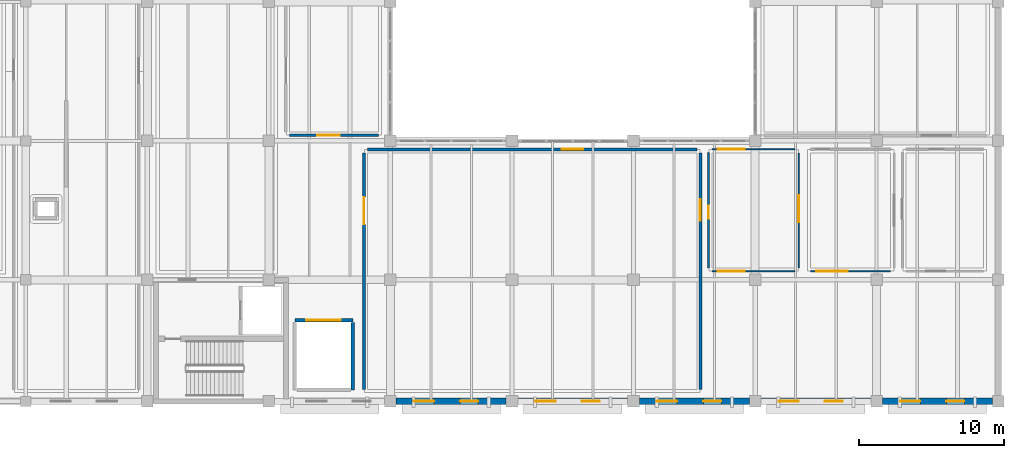
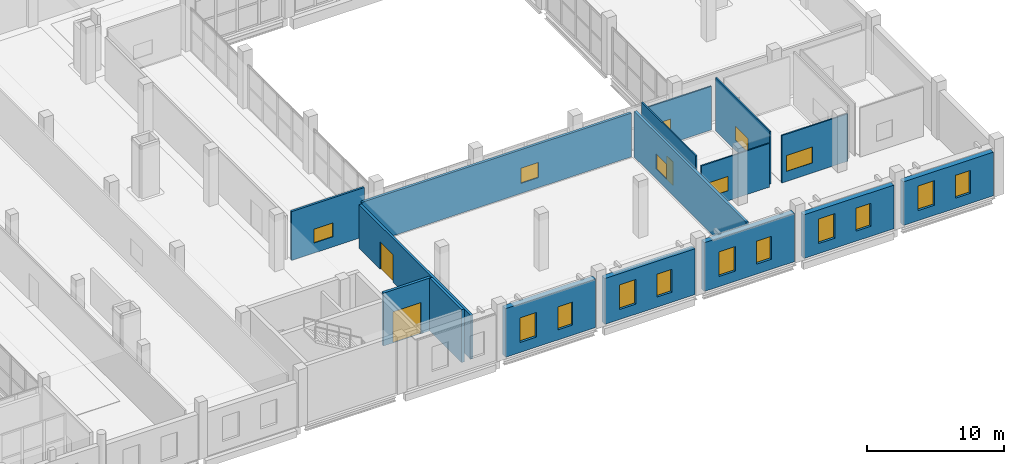
# One storey, part 60 of 73: 17 windows, 16 walls, 3 doors, 20 openings.
"""IFC4 building model written with IfcOpenShell, lengths in metres."""

from ifc_helpers import new_model, si_unit, direction, frame, frame_2d, origin, place, context, subcontext, project, spatial, rectangle, extrude, material, layer, layer_set, type_object, element, fill, save


model = new_model("IFC4")

# Units and contexts
model_context = context("Model", 3, precision=1e-05, world=origin(), true_north=direction((0.0, 1.0)))
body_context = subcontext(model_context, "Body", "Model", "MODEL_VIEW")
ifc_project = project(units=[si_unit("LENGTHUNIT", "METRE"), si_unit("AREAUNIT", "SQUARE_METRE"), si_unit("VOLUMEUNIT", "CUBIC_METRE"), si_unit("PLANEANGLEUNIT", "RADIAN"), si_unit("MASSUNIT", "GRAM", prefix="KILO")], contexts=[model_context])

# Site, building, storey
site_placement = place(None, origin())
site = spatial("IfcSite", under=ifc_project, at=site_placement, CompositionType="ELEMENT")
building_placement = place(site_placement, origin())
building = spatial("IfcBuilding", under=site, at=building_placement, Name="Zulmaris Art Gallery", CompositionType="ELEMENT")
storey_placement = place(building_placement, frame((0.0, 0.0, 10.5)))
storey = spatial("IfcBuildingStorey", under=building, at=storey_placement, Name="L02", CompositionType="ELEMENT", Elevation=10.5)

# Wall, openings, windows
ifc_material_1 = material(Name="Omani Cream Limestone Ashlar Masonry", Category="masonry")
ifc_layer_1 = layer(ifc_material_1, 0.43994140625)
ifc_layer_set_1 = layer_set([ifc_layer_1], Name="Omani Cream Limestone Ashlar Masonry")
wall_type_1 = type_object("IfcWallType", Name="ENV-WALL-EW01", PredefinedType="SOLIDWALL", material=ifc_layer_set_1)
wall_1_placement = place(storey_placement, frame((158.802001953125, 13.199951171875, 0.0), z_axis=(0.0, 0.0, 1.0), x_axis=(1.0, 0.0, 0.0)))
wall_1 = element("IfcWall", 1, at=wall_1_placement, inside=storey, type_object=wall_type_1, Name="L02 V5 South Facade Bay 2", PredefinedType="SOLIDWALL", context=body_context, shape_type="SweptSolid", body=[
    extrude(rectangle(XDim=7.595947265625, YDim=0.43994140625, at=frame_2d((3.7978515625, 0.0))), origin(), (0.0, 0.0, 1.0), 4.35009765625),
])
opening_1_placement = place(wall_1_placement, frame((1.218017578125, 0.0, 0.89990234375)))
opening_1 = element("IfcOpeningElement", 2, at=opening_1_placement, cuts=wall_1, Name="Opening W04", PredefinedType="OPENING", context=body_context, shape_type="SweptSolid", body=[
    extrude(rectangle(XDim=1.39990234375, YDim=2.199951171875, at=frame_2d((0.699951171875, 1.10009765625))), frame((0.0, 0.22998046875, 0.0), z_axis=(0.0, -1.0, 0.0), x_axis=(1.0, 0.0, 0.0)), (0.0, 0.0, 1.0), 0.4599609375),
])
opening_2_placement = place(wall_1_placement, frame((4.41796875, 0.0, 0.89990234375)))
opening_2 = element("IfcOpeningElement", 3, at=opening_2_placement, cuts=wall_1, Name="Opening W10", PredefinedType="OPENING", context=body_context, shape_type="SweptSolid", body=[
    extrude(rectangle(XDim=1.25, YDim=2.050048828125, at=frame_2d((0.625, 1.02490234375))), frame((0.0, 0.22998046875, 0.0), z_axis=(0.0, -1.0, 0.0), x_axis=(1.0, 0.0, 0.0)), (0.0, 0.0, 1.0), 0.4599609375),
])
ifc_material_2 = material(Name="Deep-Reveal Limestone Slot Window", Category="masonry")
window_type_1 = type_object("IfcWindowType", Name="WIN-W04", PartitioningType="SINGLE_PANEL", PredefinedType="WINDOW", material=ifc_material_2)
window_1_placement = place(opening_1_placement, origin())
window_1 = element("IfcWindow", 4, at=window_1_placement, inside=storey, type_object=window_type_1, Name="L02 exterior window W04", OverallHeight=2.199951171875, OverallWidth=1.39990234375, PartitioningType="SINGLE_PANEL", PredefinedType="WINDOW", context=body_context, shape_type="SweptSolid", body=[
    extrude(rectangle(XDim=1.39990234375, YDim=2.199951171875, at=frame_2d((0.699951171875, 1.10009765625))), frame((0.0, 0.030029296875, 0.0), z_axis=(0.0, -1.0, 0.0), x_axis=(1.0, 0.0, 0.0)), (0.0, 0.0, 1.0), 0.06005859375),
])
fill(opening_1, window_1)
ifc_material_3 = material(Name="Limestone Deep-Set Lancet Window", Category="masonry")
window_type_2 = type_object("IfcWindowType", Name="WIN-W10", PartitioningType="SINGLE_PANEL", PredefinedType="WINDOW", material=ifc_material_3)
window_2_placement = place(opening_2_placement, origin())
window_2 = element("IfcWindow", 5, at=window_2_placement, inside=storey, type_object=window_type_2, Name="L02 exterior window W10", OverallHeight=2.050048828125, OverallWidth=1.25, PartitioningType="SINGLE_PANEL", PredefinedType="WINDOW", context=body_context, shape_type="SweptSolid", body=[
    extrude(rectangle(XDim=1.25, YDim=2.050048828125, at=frame_2d((0.625, 1.02490234375))), frame((0.0, 0.030029296875, 0.0), z_axis=(0.0, -1.0, 0.0), x_axis=(1.0, 0.0, 0.0)), (0.0, 0.0, 1.0), 0.06005859375),
])
fill(opening_2, window_2)

wall_2_placement = place(storey_placement, frame((167.201904296875, 13.199951171875, 0.0), z_axis=(0.0, 0.0, 1.0), x_axis=(1.0, 0.0, 0.0)))
wall_2 = element("IfcWall", 6, at=wall_2_placement, inside=storey, type_object=wall_type_1, Name="L02 V5 South Facade Bay 3", PredefinedType="SOLIDWALL", context=body_context, shape_type="SweptSolid", body=[
    extrude(rectangle(XDim=7.59619140625, YDim=0.43994140625, at=frame_2d((3.798095703125, 0.0))), origin(), (0.0, 0.0, 1.0), 4.10009765625),
])
opening_3_placement = place(wall_2_placement, frame((1.218017578125, 0.0, 0.89990234375)))
opening_3 = element("IfcOpeningElement", 7, at=opening_3_placement, cuts=wall_2, Name="Opening W04", PredefinedType="OPENING", context=body_context, shape_type="SweptSolid", body=[
    extrude(rectangle(XDim=1.39990234375, YDim=2.199951171875, at=frame_2d((0.699951171875, 1.10009765625))), frame((0.0, 0.22998046875, 0.0), z_axis=(0.0, -1.0, 0.0), x_axis=(1.0, 0.0, 0.0)), (0.0, 0.0, 1.0), 0.4599609375),
])
opening_4_placement = place(wall_2_placement, frame((4.41796875, 0.0, 0.89990234375)))
opening_4 = element("IfcOpeningElement", 8, at=opening_4_placement, cuts=wall_2, Name="Opening W10", PredefinedType="OPENING", context=body_context, shape_type="SweptSolid", body=[
    extrude(rectangle(XDim=1.25, YDim=2.050048828125, at=frame_2d((0.625, 1.02490234375))), frame((0.0, 0.22998046875, 0.0), z_axis=(0.0, -1.0, 0.0), x_axis=(1.0, 0.0, 0.0)), (0.0, 0.0, 1.0), 0.4599609375),
])
window_3_placement = place(opening_3_placement, origin())
window_3 = element("IfcWindow", 9, at=window_3_placement, inside=storey, type_object=window_type_1, Name="L02 exterior window W04", OverallHeight=2.199951171875, OverallWidth=1.39990234375, PartitioningType="SINGLE_PANEL", PredefinedType="WINDOW", context=body_context, shape_type="SweptSolid", body=[
    extrude(rectangle(XDim=1.39990234375, YDim=2.199951171875, at=frame_2d((0.699951171875, 1.10009765625))), frame((0.0, 0.030029296875, 0.0), z_axis=(0.0, -1.0, 0.0), x_axis=(1.0, 0.0, 0.0)), (0.0, 0.0, 1.0), 0.06005859375),
])
fill(opening_3, window_3)
window_4_placement = place(opening_4_placement, origin())
window_4 = element("IfcWindow", 10, at=window_4_placement, inside=storey, type_object=window_type_2, Name="L02 exterior window W10", OverallHeight=2.050048828125, OverallWidth=1.25, PartitioningType="SINGLE_PANEL", PredefinedType="WINDOW", context=body_context, shape_type="SweptSolid", body=[
    extrude(rectangle(XDim=1.25, YDim=2.050048828125, at=frame_2d((0.625, 1.02490234375))), frame((0.0, 0.030029296875, 0.0), z_axis=(0.0, -1.0, 0.0), x_axis=(1.0, 0.0, 0.0)), (0.0, 0.0, 1.0), 0.06005859375),
])
fill(opening_4, window_4)

wall_3_placement = place(storey_placement, frame((175.60205078125, 13.199951171875, 0.0), z_axis=(0.0, 0.0, 1.0), x_axis=(1.0, 0.0, 0.0)))
wall_3 = element("IfcWall", 11, at=wall_3_placement, inside=storey, type_object=wall_type_1, Name="L02 V5 South Facade Bay 4", PredefinedType="SOLIDWALL", context=body_context, shape_type="SweptSolid", body=[
    extrude(rectangle(XDim=7.595947265625, YDim=0.43994140625, at=frame_2d((3.7978515625, 0.0))), origin(), (0.0, 0.0, 1.0), 4.35009765625),
])
opening_5_placement = place(wall_3_placement, frame((1.218017578125, 0.0, 0.89990234375)))
opening_5 = element("IfcOpeningElement", 12, at=opening_5_placement, cuts=wall_3, Name="Opening W04", PredefinedType="OPENING", context=body_context, shape_type="SweptSolid", body=[
    extrude(rectangle(XDim=1.39990234375, YDim=2.199951171875, at=frame_2d((0.699951171875, 1.10009765625))), frame((0.0, 0.22998046875, 0.0), z_axis=(0.0, -1.0, 0.0), x_axis=(1.0, 0.0, 0.0)), (0.0, 0.0, 1.0), 0.4599609375),
])
opening_6_placement = place(wall_3_placement, frame((4.41796875, 0.0, 0.89990234375)))
opening_6 = element("IfcOpeningElement", 13, at=opening_6_placement, cuts=wall_3, Name="Opening W10", PredefinedType="OPENING", context=body_context, shape_type="SweptSolid", body=[
    extrude(rectangle(XDim=1.25, YDim=2.050048828125, at=frame_2d((0.625, 1.02490234375))), frame((0.0, 0.22998046875, 0.0), z_axis=(0.0, -1.0, 0.0), x_axis=(1.0, 0.0, 0.0)), (0.0, 0.0, 1.0), 0.4599609375),
])
window_5_placement = place(opening_5_placement, origin())
window_5 = element("IfcWindow", 14, at=window_5_placement, inside=storey, type_object=window_type_1, Name="L02 exterior window W04", OverallHeight=2.199951171875, OverallWidth=1.39990234375, PartitioningType="SINGLE_PANEL", PredefinedType="WINDOW", context=body_context, shape_type="SweptSolid", body=[
    extrude(rectangle(XDim=1.39990234375, YDim=2.199951171875, at=frame_2d((0.699951171875, 1.10009765625))), frame((0.0, 0.030029296875, 0.0), z_axis=(0.0, -1.0, 0.0), x_axis=(1.0, 0.0, 0.0)), (0.0, 0.0, 1.0), 0.06005859375),
])
fill(opening_5, window_5)
window_6_placement = place(opening_6_placement, origin())
window_6 = element("IfcWindow", 15, at=window_6_placement, inside=storey, type_object=window_type_2, Name="L02 exterior window W10", OverallHeight=2.050048828125, OverallWidth=1.25, PartitioningType="SINGLE_PANEL", PredefinedType="WINDOW", context=body_context, shape_type="SweptSolid", body=[
    extrude(rectangle(XDim=1.25, YDim=2.050048828125, at=frame_2d((0.625, 1.02490234375))), frame((0.0, 0.030029296875, 0.0), z_axis=(0.0, -1.0, 0.0), x_axis=(1.0, 0.0, 0.0)), (0.0, 0.0, 1.0), 0.06005859375),
])
fill(opening_6, window_6)

wall_4_placement = place(storey_placement, frame((184.001953125, 13.199951171875, 0.0), z_axis=(0.0, 0.0, 1.0), x_axis=(1.0, 0.0, 0.0)))
wall_4 = element("IfcWall", 16, at=wall_4_placement, inside=storey, type_object=wall_type_1, Name="L02 V5 South Facade Bay 5", PredefinedType="SOLIDWALL", context=body_context, shape_type="SweptSolid", body=[
    extrude(rectangle(XDim=7.595947265625, YDim=0.43994140625, at=frame_2d((3.7978515625, 0.0))), origin(), (0.0, 0.0, 1.0), 3.89990234375),
])
opening_7_placement = place(wall_4_placement, frame((1.218017578125, 0.0, 0.89990234375)))
opening_7 = element("IfcOpeningElement", 17, at=opening_7_placement, cuts=wall_4, Name="Opening W04", PredefinedType="OPENING", context=body_context, shape_type="SweptSolid", body=[
    extrude(rectangle(XDim=1.39990234375, YDim=2.199951171875, at=frame_2d((0.699951171875, 1.10009765625))), frame((0.0, 0.22998046875, 0.0), z_axis=(0.0, -1.0, 0.0), x_axis=(1.0, 0.0, 0.0)), (0.0, 0.0, 1.0), 0.4599609375),
])
opening_8_placement = place(wall_4_placement, frame((4.41796875, 0.0, 0.89990234375)))
opening_8 = element("IfcOpeningElement", 18, at=opening_8_placement, cuts=wall_4, Name="Opening W10", PredefinedType="OPENING", context=body_context, shape_type="SweptSolid", body=[
    extrude(rectangle(XDim=1.25, YDim=2.050048828125, at=frame_2d((0.625, 1.02490234375))), frame((0.0, 0.22998046875, 0.0), z_axis=(0.0, -1.0, 0.0), x_axis=(1.0, 0.0, 0.0)), (0.0, 0.0, 1.0), 0.4599609375),
])
window_7_placement = place(opening_7_placement, origin())
window_7 = element("IfcWindow", 19, at=window_7_placement, inside=storey, type_object=window_type_1, Name="L02 exterior window W04", OverallHeight=2.199951171875, OverallWidth=1.39990234375, PartitioningType="SINGLE_PANEL", PredefinedType="WINDOW", context=body_context, shape_type="SweptSolid", body=[
    extrude(rectangle(XDim=1.39990234375, YDim=2.199951171875, at=frame_2d((0.699951171875, 1.10009765625))), frame((0.0, 0.030029296875, 0.0), z_axis=(0.0, -1.0, 0.0), x_axis=(1.0, 0.0, 0.0)), (0.0, 0.0, 1.0), 0.06005859375),
])
fill(opening_7, window_7)
window_8_placement = place(opening_8_placement, origin())
window_8 = element("IfcWindow", 20, at=window_8_placement, inside=storey, type_object=window_type_2, Name="L02 exterior window W10", OverallHeight=2.050048828125, OverallWidth=1.25, PartitioningType="SINGLE_PANEL", PredefinedType="WINDOW", context=body_context, shape_type="SweptSolid", body=[
    extrude(rectangle(XDim=1.25, YDim=2.050048828125, at=frame_2d((0.625, 1.02490234375))), frame((0.0, 0.030029296875, 0.0), z_axis=(0.0, -1.0, 0.0), x_axis=(1.0, 0.0, 0.0)), (0.0, 0.0, 1.0), 0.06005859375),
])
fill(opening_8, window_8)

wall_5_placement = place(storey_placement, frame((192.402099609375, 13.199951171875, 0.0), z_axis=(0.0, 0.0, 1.0), x_axis=(1.0, 0.0, 0.0)))
wall_5 = element("IfcWall", 21, at=wall_5_placement, inside=storey, type_object=wall_type_1, Name="L02 V5 South Facade Bay 6", PredefinedType="SOLIDWALL", context=body_context, shape_type="SweptSolid", body=[
    extrude(rectangle(XDim=7.595947265625, YDim=0.43994140625, at=frame_2d((3.7978515625, 0.0))), origin(), (0.0, 0.0, 1.0), 3.89990234375),
])
opening_9_placement = place(wall_5_placement, frame((1.218017578125, 0.0, 0.89990234375)))
opening_9 = element("IfcOpeningElement", 22, at=opening_9_placement, cuts=wall_5, Name="Opening W04", PredefinedType="OPENING", context=body_context, shape_type="SweptSolid", body=[
    extrude(rectangle(XDim=1.39990234375, YDim=2.199951171875, at=frame_2d((0.699951171875, 1.10009765625))), frame((0.0, 0.22998046875, 0.0), z_axis=(0.0, -1.0, 0.0), x_axis=(1.0, 0.0, 0.0)), (0.0, 0.0, 1.0), 0.4599609375),
])
opening_10_placement = place(wall_5_placement, frame((4.41796875, 0.0, 0.89990234375)))
opening_10 = element("IfcOpeningElement", 23, at=opening_10_placement, cuts=wall_5, Name="Opening W10", PredefinedType="OPENING", context=body_context, shape_type="SweptSolid", body=[
    extrude(rectangle(XDim=1.25, YDim=2.050048828125, at=frame_2d((0.625, 1.02490234375))), frame((0.0, 0.22998046875, 0.0), z_axis=(0.0, -1.0, 0.0), x_axis=(1.0, 0.0, 0.0)), (0.0, 0.0, 1.0), 0.4599609375),
])
window_9_placement = place(opening_9_placement, origin())
window_9 = element("IfcWindow", 24, at=window_9_placement, inside=storey, type_object=window_type_1, Name="L02 exterior window W04", OverallHeight=2.199951171875, OverallWidth=1.39990234375, PartitioningType="SINGLE_PANEL", PredefinedType="WINDOW", context=body_context, shape_type="SweptSolid", body=[
    extrude(rectangle(XDim=1.39990234375, YDim=2.199951171875, at=frame_2d((0.699951171875, 1.10009765625))), frame((0.0, 0.030029296875, 0.0), z_axis=(0.0, -1.0, 0.0), x_axis=(1.0, 0.0, 0.0)), (0.0, 0.0, 1.0), 0.06005859375),
])
fill(opening_9, window_9)
window_10_placement = place(opening_10_placement, origin())
window_10 = element("IfcWindow", 25, at=window_10_placement, inside=storey, type_object=window_type_2, Name="L02 exterior window W10", OverallHeight=2.050048828125, OverallWidth=1.25, PartitioningType="SINGLE_PANEL", PredefinedType="WINDOW", context=body_context, shape_type="SweptSolid", body=[
    extrude(rectangle(XDim=1.25, YDim=2.050048828125, at=frame_2d((0.625, 1.02490234375))), frame((0.0, 0.030029296875, 0.0), z_axis=(0.0, -1.0, 0.0), x_axis=(1.0, 0.0, 0.0)), (0.0, 0.0, 1.0), 0.06005859375),
])
fill(opening_10, window_10)

# Wall, opening, door
ifc_material_4 = material(Name="Moisture-Resistant Tile-Backer Wet Wall", Category="gypsum")
ifc_layer_2 = layer(ifc_material_4, 0.114990234375)
ifc_layer_set_2 = layer_set([ifc_layer_2], Name="Moisture-Resistant Tile-Backer Wet Wall")
wall_type_2 = type_object("IfcWallType", Name="IWALL-PW02", PredefinedType="PARTITIONING", material=ifc_layer_set_2)
wall_6_placement = place(storey_placement, frame((180.3798828125, 22.429931640625, 0.0), z_axis=(0.0, 0.0, 1.0), x_axis=(0.0, 1.0, 0.0)))
wall_6 = element("IfcWall", 26, at=wall_6_placement, inside=storey, type_object=wall_type_2, Name="Level 02 Male WC W partition", PredefinedType="PARTITIONING", context=body_context, shape_type="SweptSolid", body=[
    extrude(rectangle(XDim=7.940185546875, YDim=0.114990234375, at=frame_2d((3.97021484375, 0.0))), origin(), (0.0, 0.0, 1.0), 4.719970703125),
])
opening_11_placement = place(wall_6_placement, frame((3.39990234375, 0.0, 0.0)))
opening_11 = element("IfcOpeningElement", 27, at=opening_11_placement, cuts=wall_6, Name="Opening D01", PredefinedType="OPENING", context=body_context, shape_type="SweptSolid", body=[
    extrude(rectangle(XDim=0.89990234375, YDim=2.10009765625, at=frame_2d((0.449951171875, 1.050048828125))), frame((0.0, 0.0673828125, 0.0), z_axis=(0.0, -1.0, 0.0), x_axis=(1.0, 0.0, 0.0)), (0.0, 0.0, 1.0), 0.135009765625),
])
ifc_material_5 = material(Name="Moisture-Resistant WC Door", Category="timber")
door_type_1 = type_object("IfcDoorType", Name="IDOOR-D01", OperationType="NOTDEFINED", PredefinedType="DOOR", material=ifc_material_5)
door_1_placement = place(opening_11_placement, origin())
door_1 = element("IfcDoor", 28, at=door_1_placement, inside=storey, type_object=door_type_1, Name="Level 02 Male WC Door", OperationType="SINGLE_SWING_RIGHT", OverallHeight=2.10009765625, OverallWidth=0.89990234375, PredefinedType="DOOR", context=body_context, shape_type="SweptSolid", body=[
    extrude(rectangle(XDim=0.89990234375, YDim=2.10009765625, at=frame_2d((0.449951171875, 1.050048828125))), frame((0.0, 0.02490234375, 0.0), z_axis=(0.0, -1.0, 0.0), x_axis=(1.0, 0.0, 0.0)), (0.0, 0.0, 1.0), 0.050048828125),
])
fill(opening_11, door_1)

# Wall, opening, window
wall_7_placement = place(storey_placement, frame((180.6298828125, 22.179931640625, 0.0), z_axis=(0.0, 0.0, 1.0), x_axis=(1.0, 0.0, 0.0)))
wall_7 = element("IfcWall", 29, at=wall_7_placement, inside=storey, type_object=wall_type_2, Name="Level 02 Male WC S partition", PredefinedType="PARTITIONING", context=body_context, shape_type="SweptSolid", body=[
    extrude(rectangle(XDim=5.740234375, YDim=0.114990234375, at=frame_2d((2.8701171875, 0.0))), origin(), (0.0, 0.0, 1.0), 3.89990234375),
])
opening_12_placement = place(wall_7_placement, frame((0.39990234375, 0.0, 0.89990234375)))
opening_12 = element("IfcOpeningElement", 30, at=opening_12_placement, cuts=wall_7, Name="Opening IW02", PredefinedType="OPENING", context=body_context, shape_type="SweptSolid", body=[
    extrude(rectangle(XDim=1.860107421875, YDim=1.280029296875, at=frame_2d((0.93017578125, 0.64013671875))), frame((0.0, 0.0673828125, 0.0), z_axis=(0.0, -1.0, 0.0), x_axis=(1.0, 0.0, 0.0)), (0.0, 0.0, 1.0), 0.135009765625),
])
ifc_material_6 = material(Name="Auditorium Booth Acoustic Window", Category="glass")
window_type_3 = type_object("IfcWindowType", Name="IWIN-IW02", PartitioningType="SINGLE_PANEL", PredefinedType="WINDOW", material=ifc_material_6)
window_11_placement = place(opening_12_placement, origin())
window_11 = element("IfcWindow", 31, at=window_11_placement, inside=storey, type_object=window_type_3, Name="L02 interior observation window IW02", OverallHeight=1.280029296875, OverallWidth=1.860107421875, PartitioningType="SINGLE_PANEL", PredefinedType="WINDOW", context=body_context, shape_type="SweptSolid", body=[
    extrude(rectangle(XDim=1.860107421875, YDim=1.280029296875, at=frame_2d((0.93017578125, 0.64013671875))), frame((0.0, 0.030029296875, 0.0), z_axis=(0.0, -1.0, 0.0), x_axis=(1.0, 0.0, 0.0)), (0.0, 0.0, 1.0), 0.06005859375),
])
fill(opening_12, window_11)

wall_8_placement = place(storey_placement, frame((180.6298828125, 30.6201171875, 0.0), z_axis=(0.0, 0.0, 1.0), x_axis=(1.0, 0.0, 0.0)))
wall_8 = element("IfcWall", 32, at=wall_8_placement, inside=storey, type_object=wall_type_2, Name="Level 02 Male WC N partition", PredefinedType="PARTITIONING", context=body_context, shape_type="SweptSolid", body=[
    extrude(rectangle(XDim=5.740234375, YDim=0.114990234375, at=frame_2d((2.8701171875, 0.0))), origin(), (0.0, 0.0, 1.0), 3.89990234375),
])
opening_13_placement = place(wall_8_placement, frame((0.39990234375, 0.0, 0.89990234375)))
opening_13 = element("IfcOpeningElement", 33, at=opening_13_placement, cuts=wall_8, Name="Opening IW02", PredefinedType="OPENING", context=body_context, shape_type="SweptSolid", body=[
    extrude(rectangle(XDim=1.860107421875, YDim=1.280029296875, at=frame_2d((0.93017578125, 0.64013671875))), frame((0.0, 0.0673828125, 0.0), z_axis=(0.0, -1.0, 0.0), x_axis=(1.0, 0.0, 0.0)), (0.0, 0.0, 1.0), 0.135009765625),
])
window_12_placement = place(opening_13_placement, origin())
window_12 = element("IfcWindow", 34, at=window_12_placement, inside=storey, type_object=window_type_3, Name="L02 interior observation window IW02", OverallHeight=1.280029296875, OverallWidth=1.860107421875, PartitioningType="SINGLE_PANEL", PredefinedType="WINDOW", context=body_context, shape_type="SweptSolid", body=[
    extrude(rectangle(XDim=1.860107421875, YDim=1.280029296875, at=frame_2d((0.93017578125, 0.64013671875))), frame((0.0, 0.030029296875, 0.0), z_axis=(0.0, -1.0, 0.0), x_axis=(1.0, 0.0, 0.0)), (0.0, 0.0, 1.0), 0.06005859375),
])
fill(opening_13, window_12)

wall_9_placement = place(storey_placement, frame((186.6201171875, 22.429931640625, 0.0), z_axis=(0.0, 0.0, 1.0), x_axis=(0.0, 1.0, 0.0)))
wall_9 = element("IfcWall", 35, at=wall_9_placement, inside=storey, type_object=wall_type_2, Name="Level 02 Male WC E partition", PredefinedType="PARTITIONING", context=body_context, shape_type="SweptSolid", body=[
    extrude(rectangle(XDim=7.940185546875, YDim=0.114990234375, at=frame_2d((3.97021484375, 0.0))), origin(), (0.0, 0.0, 1.0), 4.719970703125),
])
opening_14_placement = place(wall_9_placement, frame((3.14990234375, 0.0, 0.89990234375)))
opening_14 = element("IfcOpeningElement", 36, at=opening_14_placement, cuts=wall_9, Name="Opening IW02", PredefinedType="OPENING", context=body_context, shape_type="SweptSolid", body=[
    extrude(rectangle(XDim=1.860107421875, YDim=1.280029296875, at=frame_2d((0.93017578125, 0.64013671875))), frame((0.0, 0.0673828125, 0.0), z_axis=(0.0, -1.0, 0.0), x_axis=(1.0, 0.0, 0.0)), (0.0, 0.0, 1.0), 0.135009765625),
])
window_13_placement = place(opening_14_placement, origin())
window_13 = element("IfcWindow", 37, at=window_13_placement, inside=storey, type_object=window_type_3, Name="L02 interior observation window IW02", OverallHeight=1.280029296875, OverallWidth=1.860107421875, PartitioningType="SINGLE_PANEL", PredefinedType="WINDOW", context=body_context, shape_type="SweptSolid", body=[
    extrude(rectangle(XDim=1.860107421875, YDim=1.280029296875, at=frame_2d((0.93017578125, 0.64013671875))), frame((0.0, 0.030029296875, 0.0), z_axis=(0.0, -1.0, 0.0), x_axis=(1.0, 0.0, 0.0)), (0.0, 0.0, 1.0), 0.06005859375),
])
fill(opening_14, window_13)

wall_10_placement = place(storey_placement, frame((187.429931640625, 22.179931640625, 0.0), z_axis=(0.0, 0.0, 1.0), x_axis=(1.0, 0.0, 0.0)))
wall_10 = element("IfcWall", 38, at=wall_10_placement, inside=storey, type_object=wall_type_2, Name="Level 02 Female WC S partition", PredefinedType="PARTITIONING", context=body_context, shape_type="SweptSolid", body=[
    extrude(rectangle(XDim=5.5400390625, YDim=0.114990234375, at=frame_2d((2.77001953125, 0.0))), origin(), (0.0, 0.0, 1.0), 4.22998046875),
])
opening_15_placement = place(wall_10_placement, frame((0.39990234375, 0.0, 0.89990234375)))
opening_15 = element("IfcOpeningElement", 39, at=opening_15_placement, cuts=wall_10, Name="Opening IW03", PredefinedType="OPENING", context=body_context, shape_type="SweptSolid", body=[
    extrude(rectangle(XDim=2.159912109375, YDim=1.419921875, at=frame_2d((1.080078125, 0.7099609375))), frame((0.0, 0.0673828125, 0.0), z_axis=(0.0, -1.0, 0.0), x_axis=(1.0, 0.0, 0.0)), (0.0, 0.0, 1.0), 0.135009765625),
])
ifc_material_7 = material(Name="Analytical Lab Observation Window", Category="glass")
window_type_4 = type_object("IfcWindowType", Name="IWIN-IW03", PartitioningType="SINGLE_PANEL", PredefinedType="WINDOW", material=ifc_material_7)
window_14_placement = place(opening_15_placement, origin())
window_14 = element("IfcWindow", 40, at=window_14_placement, inside=storey, type_object=window_type_4, Name="L02 interior observation window IW03", OverallHeight=1.419921875, OverallWidth=2.159912109375, PartitioningType="SINGLE_PANEL", PredefinedType="WINDOW", context=body_context, shape_type="SweptSolid", body=[
    extrude(rectangle(XDim=2.159912109375, YDim=1.419921875, at=frame_2d((1.080078125, 0.7099609375))), frame((0.0, 0.030029296875, 0.0), z_axis=(0.0, -1.0, 0.0), x_axis=(1.0, 0.0, 0.0)), (0.0, 0.0, 1.0), 0.06005859375),
])
fill(opening_15, window_14)

ifc_material_8 = material(Name="Acoustic Studio Separation Partition", Category="gypsum")
ifc_layer_3 = layer(ifc_material_8, 0.175048828125)
ifc_layer_set_3 = layer_set([ifc_layer_3], Name="Acoustic Studio Separation Partition")
wall_type_3 = type_object("IfcWallType", Name="IWALL-PW06", PredefinedType="PARTITIONING", material=ifc_layer_set_3)
wall_11_placement = place(storey_placement, frame((151.429931640625, 31.580078125, 0.0), z_axis=(0.0, 0.0, 1.0), x_axis=(1.0, 0.0, 0.0)))
wall_11 = element("IfcWall", 41, at=wall_11_placement, inside=storey, type_object=wall_type_3, Name="Conservation Framing & Gilding Studio S partition", PredefinedType="PARTITIONING", context=body_context, shape_type="SweptSolid", body=[
    extrude(rectangle(XDim=6.14013671875, YDim=0.175048828125, at=frame_2d((3.070068359375, 0.0))), origin(), (0.0, 0.0, 1.0), 4.3701171875),
])
opening_16_placement = place(wall_11_placement, frame((1.89990234375, 0.0, 0.89990234375)))
opening_16 = element("IfcOpeningElement", 42, at=opening_16_placement, cuts=wall_11, Name="Opening IW09", PredefinedType="OPENING", context=body_context, shape_type="SweptSolid", body=[
    extrude(rectangle(XDim=1.580078125, YDim=1.239990234375, at=frame_2d((0.7900390625, 0.6201171875))), frame((0.0, 0.097412109375, 0.0), z_axis=(0.0, -1.0, 0.0), x_axis=(1.0, 0.0, 0.0)), (0.0, 0.0, 1.0), 0.195068359375),
])
ifc_material_9 = material(Name="Registrar Inspection Glazing", Category="glass")
window_type_5 = type_object("IfcWindowType", Name="IWIN-IW09", PartitioningType="SINGLE_PANEL", PredefinedType="WINDOW", material=ifc_material_9)
window_15_placement = place(opening_16_placement, origin())
window_15 = element("IfcWindow", 43, at=window_15_placement, inside=storey, type_object=window_type_5, Name="L02 interior observation window IW09", OverallHeight=1.239990234375, OverallWidth=1.580078125, PartitioningType="SINGLE_PANEL", PredefinedType="WINDOW", context=body_context, shape_type="SweptSolid", body=[
    extrude(rectangle(XDim=1.580078125, YDim=1.239990234375, at=frame_2d((0.7900390625, 0.6201171875))), frame((0.0, 0.030029296875, 0.0), z_axis=(0.0, -1.0, 0.0), x_axis=(1.0, 0.0, 0.0)), (0.0, 0.0, 1.0), 0.06005859375),
])
fill(opening_16, window_15)

# Wall, opening, door
ifc_material_10 = material(Name="Fire-Rated Corridor Compartment Wall", Category="masonry")
ifc_layer_4 = layer(ifc_material_10, 0.205078125)
ifc_layer_set_4 = layer_set([ifc_layer_4], Name="Fire-Rated Corridor Compartment Wall")
wall_type_4 = type_object("IfcWallType", Name="IWALL-PW08", PredefinedType="PARTITIONING", material=ifc_layer_set_4)
wall_12_placement = place(storey_placement, frame((156.580078125, 14.030029296875, 0.0), z_axis=(0.0, 0.0, 1.0), x_axis=(0.0, 1.0, 0.0)))
wall_12 = element("IfcWall", 44, at=wall_12_placement, inside=storey, type_object=wall_type_4, Name="Curatorial Study Room W partition", PredefinedType="PARTITIONING", context=body_context, shape_type="SweptSolid", body=[
    extrude(rectangle(XDim=16.340087890625, YDim=0.205078125, at=frame_2d((8.169921875, 0.0))), origin(), (0.0, 0.0, 1.0), 3.89990234375),
])
opening_17_placement = place(wall_12_placement, frame((11.39990234375, 0.0, 0.0)))
opening_17 = element("IfcOpeningElement", 45, at=opening_17_placement, cuts=wall_12, Name="Opening D16", PredefinedType="OPENING", context=body_context, shape_type="SweptSolid", body=[
    extrude(rectangle(XDim=1.8798828125, YDim=2.4599609375, at=frame_2d((0.93994140625, 1.22998046875))), frame((0.0, 0.112548828125, 0.0), z_axis=(0.0, -1.0, 0.0), x_axis=(1.0, 0.0, 0.0)), (0.0, 0.0, 1.0), 0.22509765625),
])
ifc_material_11 = material(Name="Learning & Library Double Door", Category="timber")
door_type_2 = type_object("IfcDoorType", Name="IDOOR-D16", OperationType="DOUBLE_SWING_RIGHT", PredefinedType="DOOR", material=ifc_material_11)
door_2_placement = place(opening_17_placement, origin())
door_2 = element("IfcDoor", 46, at=door_2_placement, inside=storey, type_object=door_type_2, Name="Curatorial Study Room Door", OperationType="DOUBLE_SWING_RIGHT", OverallHeight=2.4599609375, OverallWidth=1.8798828125, PredefinedType="DOOR", context=body_context, shape_type="SweptSolid", body=[
    extrude(rectangle(XDim=1.8798828125, YDim=2.4599609375, at=frame_2d((0.93994140625, 1.22998046875))), frame((0.0, 0.02490234375, 0.0), z_axis=(0.0, -1.0, 0.0), x_axis=(1.0, 0.0, 0.0)), (0.0, 0.0, 1.0), 0.050048828125),
])
fill(opening_17, door_2)

# Wall, opening, window
wall_13_placement = place(storey_placement, frame((156.830078125, 30.6201171875, 0.0), z_axis=(0.0, 0.0, 1.0), x_axis=(1.0, 0.0, 0.0)))
wall_13 = element("IfcWall", 47, at=wall_13_placement, inside=storey, type_object=wall_type_4, Name="Curatorial Study Room N partition", PredefinedType="PARTITIONING", context=body_context, shape_type="SweptSolid", body=[
    extrude(rectangle(XDim=22.739990234375, YDim=0.205078125, at=frame_2d((11.3701171875, 0.0))), origin(), (0.0, 0.0, 1.0), 3.89990234375),
])
opening_18_placement = place(wall_13_placement, frame((13.39990234375, 0.0, 0.89990234375)))
opening_18 = element("IfcOpeningElement", 48, at=opening_18_placement, cuts=wall_13, Name="Opening IW01", PredefinedType="OPENING", context=body_context, shape_type="SweptSolid", body=[
    extrude(rectangle(XDim=1.47998046875, YDim=1.35009765625, at=frame_2d((0.739990234375, 0.675048828125))), frame((0.0, 0.112548828125, 0.0), z_axis=(0.0, -1.0, 0.0), x_axis=(1.0, 0.0, 0.0)), (0.0, 0.0, 1.0), 0.22509765625),
])
ifc_material_12 = material(Name="Conservation Studio Viewing Window", Category="glass")
window_type_6 = type_object("IfcWindowType", Name="IWIN-IW01", PartitioningType="SINGLE_PANEL", PredefinedType="WINDOW", material=ifc_material_12)
window_16_placement = place(opening_18_placement, origin())
window_16 = element("IfcWindow", 49, at=window_16_placement, inside=storey, type_object=window_type_6, Name="L02 interior observation window IW01", OverallHeight=1.35009765625, OverallWidth=1.47998046875, PartitioningType="SINGLE_PANEL", PredefinedType="WINDOW", context=body_context, shape_type="SweptSolid", body=[
    extrude(rectangle(XDim=1.47998046875, YDim=1.35009765625, at=frame_2d((0.739990234375, 0.675048828125))), frame((0.0, 0.030029296875, 0.0), z_axis=(0.0, -1.0, 0.0), x_axis=(1.0, 0.0, 0.0)), (0.0, 0.0, 1.0), 0.06005859375),
])
fill(opening_18, window_16)

wall_14_placement = place(storey_placement, frame((179.820068359375, 14.030029296875, 0.0), z_axis=(0.0, 0.0, 1.0), x_axis=(0.0, 1.0, 0.0)))
wall_14 = element("IfcWall", 50, at=wall_14_placement, inside=storey, type_object=wall_type_4, Name="Curatorial Study Room E partition", PredefinedType="PARTITIONING", context=body_context, shape_type="SweptSolid", body=[
    extrude(rectangle(XDim=16.340087890625, YDim=0.205078125, at=frame_2d((8.169921875, 0.0))), origin(), (0.0, 0.0, 1.0), 4.10009765625),
])
opening_19_placement = place(wall_14_placement, frame((11.64990234375, 0.0, 0.89990234375)))
opening_19 = element("IfcOpeningElement", 51, at=opening_19_placement, cuts=wall_14, Name="Opening IW01", PredefinedType="OPENING", context=body_context, shape_type="SweptSolid", body=[
    extrude(rectangle(XDim=1.47998046875, YDim=1.35009765625, at=frame_2d((0.739990234375, 0.675048828125))), frame((0.0, 0.112548828125, 0.0), z_axis=(0.0, -1.0, 0.0), x_axis=(1.0, 0.0, 0.0)), (0.0, 0.0, 1.0), 0.22509765625),
])
window_17_placement = place(opening_19_placement, origin())
window_17 = element("IfcWindow", 52, at=window_17_placement, inside=storey, type_object=window_type_6, Name="L02 interior observation window IW01", OverallHeight=1.35009765625, OverallWidth=1.47998046875, PartitioningType="SINGLE_PANEL", PredefinedType="WINDOW", context=body_context, shape_type="SweptSolid", body=[
    extrude(rectangle(XDim=1.47998046875, YDim=1.35009765625, at=frame_2d((0.739990234375, 0.675048828125))), frame((0.0, 0.030029296875, 0.0), z_axis=(0.0, -1.0, 0.0), x_axis=(1.0, 0.0, 0.0)), (0.0, 0.0, 1.0), 0.06005859375),
])
fill(opening_19, window_17)

# Wall, opening, door
ifc_material_13 = material(Name="Core Lobby Fire-Resisting Masonry Wall", Category="masonry")
ifc_layer_5 = layer(ifc_material_13, 0.235107421875)
ifc_layer_set_5 = layer_set([ifc_layer_5], Name="Core Lobby Fire-Resisting Masonry Wall")
wall_type_5 = type_object("IfcWallType", Name="IWALL-PW10", PredefinedType="PARTITIONING", material=ifc_layer_set_5)
wall_15_placement = place(storey_placement, frame((151.800048828125, 18.800048828125, 0.0), z_axis=(0.0, 0.0, 1.0), x_axis=(1.0, 0.0, 0.0)))
wall_15 = element("IfcWall", 53, at=wall_15_placement, inside=storey, type_object=wall_type_5, Name="Goods Lift L02 north shaft wall", PredefinedType="PARTITIONING", context=body_context, shape_type="SweptSolid", body=[
    extrude(rectangle(XDim=4.0, YDim=0.235107421875, at=frame_2d((2.0, 0.0))), origin(), (0.0, 0.0, 1.0), 4.719970703125),
])
opening_20_placement = place(wall_15_placement, frame((0.800048828125, 0.0, 0.0)))
opening_20 = element("IfcOpeningElement", 54, at=opening_20_placement, cuts=wall_15, Name="Opening LD03", PredefinedType="OPENING", context=body_context, shape_type="SweptSolid", body=[
    extrude(rectangle(XDim=2.360107421875, YDim=2.780029296875, at=frame_2d((1.18017578125, 1.39013671875))), frame((0.0, 0.12744140625, 0.0), z_axis=(0.0, -1.0, 0.0), x_axis=(1.0, 0.0, 0.0)), (0.0, 0.0, 1.0), 0.255126953125),
])
ifc_material_14 = material(Name="Goods Lift Oversize Sliding Landing Door", Category="steel")
door_type_3 = type_object("IfcDoorType", Name="IDOOR-LD03", OperationType="SLIDING_TO_LEFT", PredefinedType="DOOR", material=ifc_material_14)
door_3_placement = place(opening_20_placement, origin())
door_3 = element("IfcDoor", 55, at=door_3_placement, inside=storey, type_object=door_type_3, Name="Goods Lift LF-G1 L02 Sliding Landing Door", OperationType="SLIDING_TO_LEFT", OverallHeight=2.780029296875, OverallWidth=2.360107421875, PredefinedType="DOOR", context=body_context, shape_type="SweptSolid", body=[
    extrude(rectangle(XDim=2.360107421875, YDim=2.780029296875, at=frame_2d((1.18017578125, 1.39013671875))), frame((0.0, 0.02490234375, 0.0), z_axis=(0.0, -1.0, 0.0), x_axis=(1.0, 0.0, 0.0)), (0.0, 0.0, 1.0), 0.050048828125),
])
fill(opening_20, door_3)

# Wall
wall_16_placement = place(storey_placement, frame((155.800048828125, 14.0, 0.0), z_axis=(0.0, 0.0, 1.0), x_axis=(0.0, 1.0, 0.0)))
element("IfcWall", 56, at=wall_16_placement, inside=storey, type_object=wall_type_5, Name="Goods Lift L02 east shaft wall", PredefinedType="PARTITIONING", context=body_context, shape_type="SweptSolid", body=[
    extrude(rectangle(XDim=4.659912109375, YDim=0.235107421875, at=frame_2d((2.330078125, 0.0))), origin(), (0.0, 0.0, 1.0), 4.719970703125),
])

save(model, "model.ifc")
